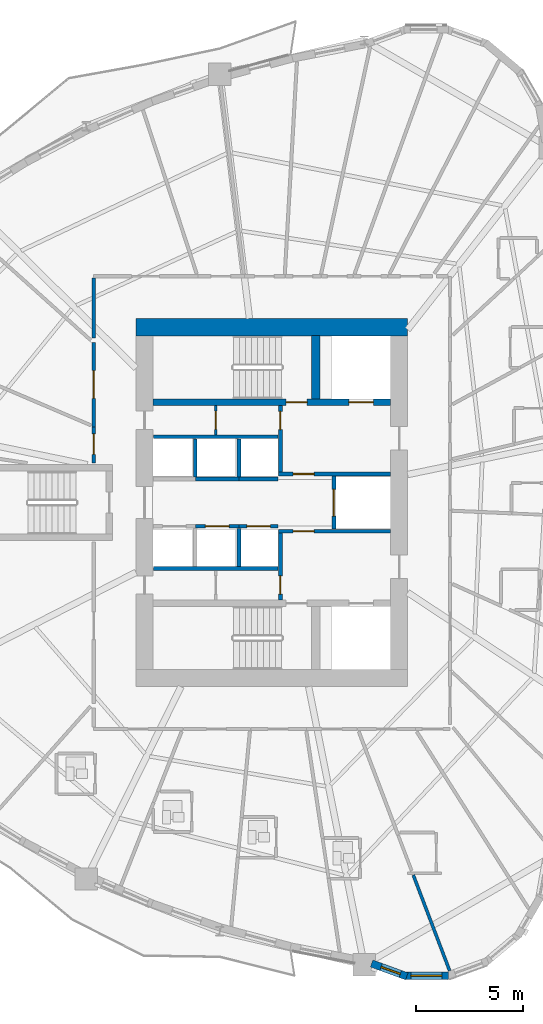
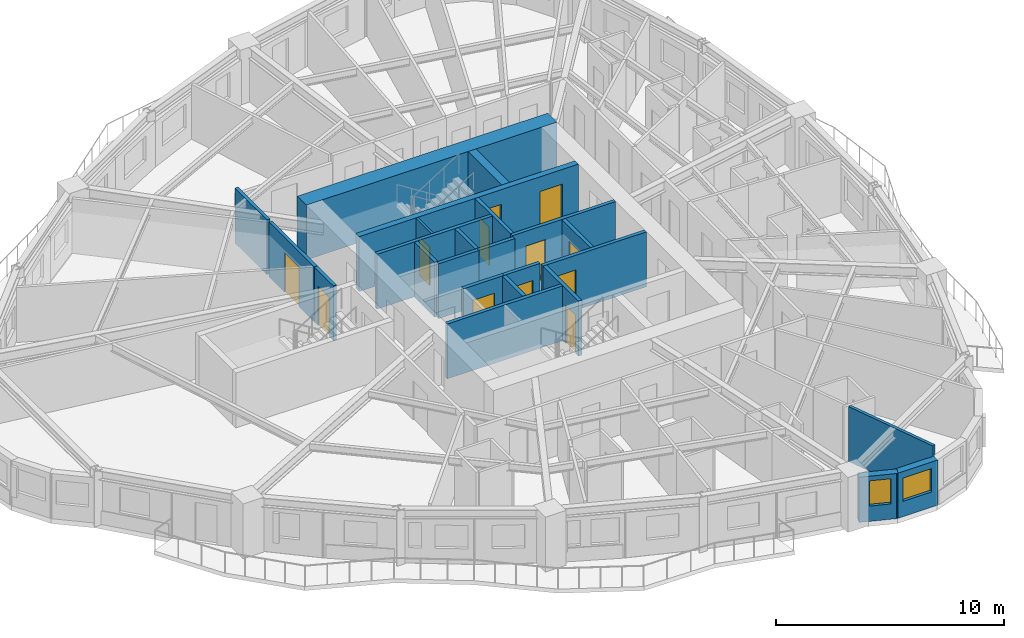
# One storey, part 5 of 14: 24 walls, 12 doors, 2 windows, 14 openings.
"""IFC4 building model written with IfcOpenShell, lengths in metres."""

from ifc_helpers import new_model, si_unit, direction, frame, frame_2d, origin, place, context, subcontext, project, spatial, rectangle, extrude, source, transform, mapped, material, layer, layer_set, type_object, element, fill, save


model = new_model("IFC4")

# Units and contexts
model_context = context("Model", 3, precision=1e-05, world=origin(), true_north=direction((0.0, 1.0)))
body_context = subcontext(model_context, "Body", "Model", "MODEL_VIEW")
ifc_project = project(units=[si_unit("LENGTHUNIT", "METRE"), si_unit("AREAUNIT", "SQUARE_METRE"), si_unit("VOLUMEUNIT", "CUBIC_METRE"), si_unit("PLANEANGLEUNIT", "RADIAN"), si_unit("MASSUNIT", "GRAM", prefix="KILO")], contexts=[model_context])

# Site, building, storey
site_placement = place(None, origin())
site = spatial("IfcSite", under=ifc_project, at=site_placement, CompositionType="ELEMENT")
building_placement = place(site_placement, origin())
building = spatial("IfcBuilding", under=site, at=building_placement, Name="Qafzar Sky-Pleat Residences", CompositionType="ELEMENT")
storey_placement = place(building_placement, frame((0.0, 0.0, 17.39990234375)))
storey = spatial("IfcBuildingStorey", under=building, at=storey_placement, Name="L04", CompositionType="ELEMENT", Elevation=17.39990234375)

# Wall, opening, door
ifc_material_1 = material(Name="Acoustic gypsum plasterboard partition", Category="gypsum")
ifc_layer_1 = layer(ifc_material_1, 0.159912109375)
ifc_layer_set_1 = layer_set([ifc_layer_1], Name="Acoustic gypsum plasterboard partition")
wall_type_1 = type_object("IfcWallType", Name="PART-COR-160", PredefinedType="PARTITIONING", material=ifc_layer_set_1)
wall_1_placement = place(storey_placement, frame((22.02001953125, 29.544921875, 0.0), z_axis=(0.0, 0.0, 1.0), x_axis=(0.0, 1.0, 0.0)))
wall_1 = element("IfcWall", 1, at=wall_1_placement, inside=storey, type_object=wall_type_1, Name="L04 Partition Wall PART-L04-PW-005", PredefinedType="PARTITIONING", context=body_context, shape_type="SweptSolid", body=[
    extrude(rectangle(XDim=3.948974609375, YDim=0.159912109375, at=frame_2d((1.974609375, 0.0))), origin(), (0.0, 0.0, 1.0), 2.940185546875),
])
opening_1_placement = place(wall_1_placement, frame((1.322998046875, 0.0, 0.0)))
opening_1 = element("IfcOpeningElement", 2, at=opening_1_placement, cuts=wall_1, Name="Opening ID-05", PredefinedType="OPENING", context=body_context, shape_type="SweptSolid", body=[
    extrude(rectangle(XDim=1.300048828125, YDim=2.10009765625, at=frame_2d((0.64990234375, 1.050048828125))), frame((0.0, 0.08984375, 0.0), z_axis=(0.0, -1.0, 0.0), x_axis=(1.0, 0.0, 0.0)), (0.0, 0.0, 1.0), 0.179931640625),
])
ifc_material_2 = material(Name="Timber-faced fire door", Category="wood")
door_type_1 = type_object("IfcDoorType", Name="DR-LNG-1300", OperationType="DOUBLE_DOOR_SINGLE_SWING", PredefinedType="DOOR", material=ifc_material_2)
shared_shape_1 = source(origin(), body_context, "Body", "SweptSolid", [
    extrude(rectangle(XDim=1.300048828125, YDim=2.10009765625, at=frame_2d((0.64990234375, 1.050048828125))), frame((0.0, 0.02490234375, 0.0), z_axis=(0.0, -1.0, 0.0), x_axis=(1.0, 0.0, 0.0)), (0.0, 0.0, 1.0), 0.050048828125),
])
door_1_placement = place(opening_1_placement, origin())
door_1 = element("IfcDoor", 3, at=door_1_placement, inside=storey, type_object=door_type_1, Name="L04 Co-Living Lounge Door", OperationType="DOUBLE_DOOR_SINGLE_SWING", OverallHeight=2.10009765625, OverallWidth=1.300048828125, PredefinedType="DOOR", context=body_context, shape_type="MappedRepresentation", body=[
    mapped(shared_shape_1, transform((0.0, 0.0, 0.0), x_axis=(1.0, 0.0, 0.0), y_axis=(0.0, 1.0, 0.0), z_axis=(0.0, 0.0, 1.0), scale=1.0)),
])
fill(opening_1, door_1)

wall_2_placement = place(storey_placement, frame((22.02001953125, 27.85009765625, 0.0), z_axis=(0.0, 0.0, 1.0), x_axis=(0.0, 1.0, 0.0)))
wall_2 = element("IfcWall", 4, at=wall_2_placement, inside=storey, type_object=wall_type_1, Name="L04 Partition Wall PART-L04-PW-029", PredefinedType="PARTITIONING", context=body_context, shape_type="SweptSolid", body=[
    extrude(rectangle(XDim=1.679931640625, YDim=0.159912109375, at=frame_2d((0.83984375, 0.0))), origin(), (0.0, 0.0, 1.0), 2.940185546875),
])
opening_2_placement = place(wall_2_placement, frame((0.405517578125, 0.0, 0.0)))
opening_2 = element("IfcOpeningElement", 5, at=opening_2_placement, cuts=wall_2, Name="Opening ID-06", PredefinedType="OPENING", context=body_context, shape_type="SweptSolid", body=[
    extrude(rectangle(XDim=0.9599609375, YDim=2.10009765625, at=frame_2d((0.47998046875, 1.050048828125))), frame((0.0, 0.08984375, 0.0), z_axis=(0.0, -1.0, 0.0), x_axis=(1.0, 0.0, 0.0)), (0.0, 0.0, 1.0), 0.179931640625),
])
door_type_2 = type_object("IfcDoorType", Name="DR-STD-960", OperationType="NOTDEFINED", PredefinedType="DOOR", material=ifc_material_2)
shared_shape_2 = source(origin(), body_context, "Body", "SweptSolid", [
    extrude(rectangle(XDim=0.9599609375, YDim=2.10009765625, at=frame_2d((0.47998046875, 1.050048828125))), frame((0.0, 0.02490234375, 0.0), z_axis=(0.0, -1.0, 0.0), x_axis=(1.0, 0.0, 0.0)), (0.0, 0.0, 1.0), 0.050048828125),
])
door_2_placement = place(opening_2_placement, origin())
door_2 = element("IfcDoor", 6, at=door_2_placement, inside=storey, type_object=door_type_2, Name="L04 Reading Library Door", OperationType="SINGLE_SWING_RIGHT", OverallHeight=2.10009765625, OverallWidth=0.9599609375, PredefinedType="DOOR", context=body_context, shape_type="MappedRepresentation", body=[
    mapped(shared_shape_2, transform((0.0, 0.0, 0.0), x_axis=(1.0, 0.0, 0.0), y_axis=(0.0, 1.0, 0.0), z_axis=(0.0, 0.0, 1.0), scale=1.0)),
])
fill(opening_2, door_2)

# Wall
wall_3_placement = place(storey_placement, frame((22.02001953125, 33.686279296875, 0.0), z_axis=(0.0, 0.0, 1.0), x_axis=(0.0, 1.0, 0.0)))
element("IfcWall", 7, at=wall_3_placement, inside=storey, type_object=wall_type_1, Name="L04 Partition Wall PART-L04-PW-060", PredefinedType="PARTITIONING", context=body_context, shape_type="SweptSolid", body=[
    extrude(rectangle(XDim=2.8056640625, YDim=0.159912109375, at=frame_2d((1.40283203125, 0.0))), origin(), (0.0, 0.0, 1.0), 2.940185546875),
])

# Wall, opening, door
ifc_material_3 = material(Name="Concrete blockwork partition", Category="masonry")
ifc_layer_2 = layer(ifc_material_3, 0.179931640625)
ifc_layer_set_2 = layer_set([ifc_layer_2], Name="Concrete blockwork partition")
wall_type_2 = type_object("IfcWallType", Name="PART-SHAFT-180", PredefinedType="PARTITIONING", material=ifc_layer_set_2)
wall_4_placement = place(storey_placement, frame((30.75, 21.4599609375, 0.0), z_axis=(0.0, 0.0, 1.0), x_axis=(0.0, 1.0, 0.0)))
wall_4 = element("IfcWall", 8, at=wall_4_placement, inside=storey, type_object=wall_type_2, Name="L04 Partition Wall PART-L04-FFL1-W", PredefinedType="PARTITIONING", context=body_context, shape_type="SweptSolid", body=[
    extrude(rectangle(XDim=3.110107421875, YDim=0.179931640625, at=frame_2d((1.55517578125, 0.0))), origin(), (0.0, 0.0, 1.0), 2.940185546875),
])
opening_3_placement = place(wall_4_placement, frame((0.260009765625, 0.0, 0.0)))
opening_3 = element("IfcOpeningElement", 9, at=opening_3_placement, cuts=wall_4, Name="Opening ID-09", PredefinedType="OPENING", context=body_context, shape_type="SweptSolid", body=[
    extrude(rectangle(XDim=0.860107421875, YDim=2.050048828125, at=frame_2d((0.43017578125, 1.02490234375))), frame((0.0, 0.10009765625, 0.0), z_axis=(0.0, -1.0, 0.0), x_axis=(1.0, 0.0, 0.0)), (0.0, 0.0, 1.0), 0.199951171875),
])
door_type_3 = type_object("IfcDoorType", Name="DR-SVC-860", OperationType="NOTDEFINED", PredefinedType="DOOR", material=ifc_material_2)
shared_shape_3 = source(origin(), body_context, "Body", "SweptSolid", [
    extrude(rectangle(XDim=0.860107421875, YDim=2.050048828125, at=frame_2d((0.43017578125, 1.02490234375))), frame((0.0, 0.02490234375, 0.0), z_axis=(0.0, -1.0, 0.0), x_axis=(1.0, 0.0, 0.0)), (0.0, 0.0, 1.0), 0.050048828125),
])
door_3_placement = place(opening_3_placement, origin())
door_3 = element("IfcDoor", 10, at=door_3_placement, inside=storey, type_object=door_type_3, Name="L04 South Core Cupboard Door", OperationType="SINGLE_SWING_RIGHT", OverallHeight=2.050048828125, OverallWidth=0.860107421875, PredefinedType="DOOR", context=body_context, shape_type="MappedRepresentation", body=[
    mapped(shared_shape_3, transform((0.0, 0.0, 0.0), x_axis=(1.0, 0.0, 0.0), y_axis=(0.0, 1.0, 0.0), z_axis=(0.0, 0.0, 1.0), scale=1.0)),
])
fill(opening_3, door_3)

wall_5_placement = place(storey_placement, frame((30.669921875, 24.659912109375, 0.0), z_axis=(0.0, 0.0, 1.0), x_axis=(1.0, 0.0, 0.0)))
wall_5 = element("IfcWall", 11, at=wall_5_placement, inside=storey, type_object=wall_type_2, Name="L04 Partition Wall PART-L04-FFL1-N", PredefinedType="PARTITIONING", context=body_context, shape_type="SweptSolid", body=[
    extrude(rectangle(XDim=5.219970703125, YDim=0.179931640625, at=frame_2d((2.60986328125, 0.0))), origin(), (0.0, 0.0, 1.0), 2.940185546875),
])
opening_4_placement = place(wall_5_placement, frame((0.679931640625, 0.0, 0.0)))
opening_4 = element("IfcOpeningElement", 12, at=opening_4_placement, cuts=wall_5, Name="Opening ID-01", PredefinedType="OPENING", context=body_context, shape_type="SweptSolid", body=[
    extrude(rectangle(XDim=0.97998046875, YDim=2.14990234375, at=frame_2d((0.489990234375, 1.074951171875))), frame((0.0, 0.10009765625, 0.0), z_axis=(0.0, -1.0, 0.0), x_axis=(1.0, 0.0, 0.0)), (0.0, 0.0, 1.0), 0.199951171875),
])
door_type_4 = type_object("IfcDoorType", Name="DR-STAIR-980", OperationType="NOTDEFINED", PredefinedType="DOOR", material=ifc_material_2)
shared_shape_4 = source(origin(), body_context, "Body", "SweptSolid", [
    extrude(rectangle(XDim=0.97998046875, YDim=2.14990234375, at=frame_2d((0.489990234375, 1.074951171875))), frame((0.0, 0.02490234375, 0.0), z_axis=(0.0, -1.0, 0.0), x_axis=(1.0, 0.0, 0.0)), (0.0, 0.0, 1.0), 0.050048828125),
])
door_4_placement = place(opening_4_placement, origin())
door_4 = element("IfcDoor", 13, at=door_4_placement, inside=storey, type_object=door_type_4, Name="L04 Lift Lobby to South Firefighting Lobby Door", OperationType="SINGLE_SWING_LEFT", OverallHeight=2.14990234375, OverallWidth=0.97998046875, PredefinedType="DOOR", context=body_context, shape_type="MappedRepresentation", body=[
    mapped(shared_shape_4, transform((0.0, 0.0, 0.0), x_axis=(1.0, 0.0, 0.0), y_axis=(0.0, 1.0, 0.0), z_axis=(0.0, 0.0, 1.0), scale=1.0)),
])
fill(opening_4, door_4)

wall_6_placement = place(storey_placement, frame((30.75, 27.429931640625, 0.0), z_axis=(0.0, 0.0, 1.0), x_axis=(0.0, 1.0, 0.0)))
wall_6 = element("IfcWall", 14, at=wall_6_placement, inside=storey, type_object=wall_type_2, Name="L04 Partition Wall PART-L04-FFL2-W", PredefinedType="PARTITIONING", context=body_context, shape_type="SweptSolid", body=[
    extrude(rectangle(XDim=3.110107421875, YDim=0.179931640625, at=frame_2d((1.55517578125, 0.0))), origin(), (0.0, 0.0, 1.0), 2.940185546875),
])
opening_5_placement = place(wall_6_placement, frame((1.97998046875, 0.0, 0.0)))
opening_5 = element("IfcOpeningElement", 15, at=opening_5_placement, cuts=wall_6, Name="Opening ID-09", PredefinedType="OPENING", context=body_context, shape_type="SweptSolid", body=[
    extrude(rectangle(XDim=0.860107421875, YDim=2.050048828125, at=frame_2d((0.43017578125, 1.02490234375))), frame((0.0, 0.10009765625, 0.0), z_axis=(0.0, -1.0, 0.0), x_axis=(1.0, 0.0, 0.0)), (0.0, 0.0, 1.0), 0.199951171875),
])
door_5_placement = place(opening_5_placement, origin())
door_5 = element("IfcDoor", 16, at=door_5_placement, inside=storey, type_object=door_type_3, Name="L04 North Core Cupboard Door", OperationType="SINGLE_SWING_RIGHT", OverallHeight=2.050048828125, OverallWidth=0.860107421875, PredefinedType="DOOR", context=body_context, shape_type="MappedRepresentation", body=[
    mapped(shared_shape_3, transform((0.0, 0.0, 0.0), x_axis=(1.0, 0.0, 0.0), y_axis=(0.0, 1.0, 0.0), z_axis=(0.0, 0.0, 1.0), scale=1.0)),
])
fill(opening_5, door_5)

wall_7_placement = place(storey_placement, frame((30.669921875, 27.340087890625, 0.0), z_axis=(0.0, 0.0, 1.0), x_axis=(1.0, 0.0, 0.0)))
wall_7 = element("IfcWall", 17, at=wall_7_placement, inside=storey, type_object=wall_type_2, Name="L04 Partition Wall PART-L04-FFL2-S", PredefinedType="PARTITIONING", context=body_context, shape_type="SweptSolid", body=[
    extrude(rectangle(XDim=5.219970703125, YDim=0.179931640625, at=frame_2d((2.60986328125, 0.0))), origin(), (0.0, 0.0, 1.0), 2.940185546875),
])
opening_6_placement = place(wall_7_placement, frame((0.679931640625, 0.0, 0.0)))
opening_6 = element("IfcOpeningElement", 18, at=opening_6_placement, cuts=wall_7, Name="Opening ID-01", PredefinedType="OPENING", context=body_context, shape_type="SweptSolid", body=[
    extrude(rectangle(XDim=0.97998046875, YDim=2.14990234375, at=frame_2d((0.489990234375, 1.074951171875))), frame((0.0, 0.10009765625, 0.0), z_axis=(0.0, -1.0, 0.0), x_axis=(1.0, 0.0, 0.0)), (0.0, 0.0, 1.0), 0.199951171875),
])
door_6_placement = place(opening_6_placement, origin())
door_6 = element("IfcDoor", 19, at=door_6_placement, inside=storey, type_object=door_type_4, Name="L04 Lift Lobby to North Firefighting Lobby Door", OperationType="SINGLE_SWING_LEFT", OverallHeight=2.14990234375, OverallWidth=0.97998046875, PredefinedType="DOOR", context=body_context, shape_type="MappedRepresentation", body=[
    mapped(shared_shape_4, transform((0.0, 0.0, 0.0), x_axis=(1.0, 0.0, 0.0), y_axis=(0.0, 1.0, 0.0), z_axis=(0.0, 0.0, 1.0), scale=1.0)),
])
fill(opening_6, door_6)

wall_8_placement = place(storey_placement, frame((33.25, 24.760009765625, 0.0), z_axis=(0.0, 0.0, 1.0), x_axis=(0.0, 1.0, 0.0)))
wall_8 = element("IfcWall", 20, at=wall_8_placement, inside=storey, type_object=wall_type_2, Name="L04 Partition Wall PART-L04-SV1-W", PredefinedType="PARTITIONING", context=body_context, shape_type="SweptSolid", body=[
    extrude(rectangle(XDim=2.47998046875, YDim=0.179931640625, at=frame_2d((1.239990234375, 0.0))), origin(), (0.0, 0.0, 1.0), 2.940185546875),
])
opening_7_placement = place(wall_8_placement, frame((0.614990234375, 0.0, 0.0)))
opening_7 = element("IfcOpeningElement", 21, at=opening_7_placement, cuts=wall_8, Name="Opening LD-03", PredefinedType="OPENING", context=body_context, shape_type="SweptSolid", body=[
    extrude(rectangle(XDim=1.25, YDim=2.14990234375, at=frame_2d((0.625, 1.074951171875))), frame((0.0, 0.10009765625, 0.0), z_axis=(0.0, -1.0, 0.0), x_axis=(1.0, 0.0, 0.0)), (0.0, 0.0, 1.0), 0.199951171875),
])
ifc_material_4 = material(Name="Stainless steel sliding landing door", Category="steel")
door_type_5 = type_object("IfcDoorType", Name="DR-LIFT-SV", OperationType="DOUBLE_DOOR_SLIDING", PredefinedType="DOOR", material=ifc_material_4)
shared_shape_5 = source(origin(), body_context, "Body", "SweptSolid", [
    extrude(rectangle(XDim=1.25, YDim=2.14990234375, at=frame_2d((0.625, 1.074951171875))), frame((0.0, 0.02490234375, 0.0), z_axis=(0.0, -1.0, 0.0), x_axis=(1.0, 0.0, 0.0)), (0.0, 0.0, 1.0), 0.050048828125),
])
door_7_placement = place(opening_7_placement, origin())
door_7 = element("IfcDoor", 22, at=door_7_placement, inside=storey, type_object=door_type_5, Name="L04 Service Lift SV1 Landing Door", OperationType="DOUBLE_DOOR_SLIDING", OverallHeight=2.14990234375, OverallWidth=1.25, PredefinedType="DOOR", context=body_context, shape_type="MappedRepresentation", body=[
    mapped(shared_shape_5, transform((0.0, 0.0, 0.0), x_axis=(1.0, 0.0, 0.0), y_axis=(0.0, 1.0, 0.0), z_axis=(0.0, 0.0, 1.0), scale=1.0)),
])
fill(opening_7, door_7)

# Wall
wall_9_placement = place(storey_placement, frame((24.81005859375, 22.919921875, 0.0), z_axis=(0.0, 0.0, 1.0), x_axis=(1.0, 0.0, 0.0)))
element("IfcWall", 23, at=wall_9_placement, inside=storey, type_object=wall_type_2, Name="L04 Partition Wall PART-L04-P13-S", PredefinedType="PARTITIONING", context=body_context, shape_type="SweptSolid", body=[
    extrude(rectangle(XDim=5.83984375, YDim=0.179931640625, at=frame_2d((2.919921875, 0.0))), origin(), (0.0, 0.0, 1.0), 2.940185546875),
])

# Wall, opening, door
wall_10_placement = place(storey_placement, frame((26.77490234375, 24.89990234375, 0.0), z_axis=(0.0, 0.0, 1.0), x_axis=(1.0, 0.0, 0.0)))
wall_10 = element("IfcWall", 24, at=wall_10_placement, inside=storey, type_object=wall_type_2, Name="L04 Partition Wall PART-L04-P2-N", PredefinedType="PARTITIONING", context=body_context, shape_type="SweptSolid", body=[
    extrude(rectangle(XDim=2.050048828125, YDim=0.179931640625, at=frame_2d((1.02490234375, 0.0))), origin(), (0.0, 0.0, 1.0), 2.940185546875),
])
opening_8_placement = place(wall_10_placement, frame((0.47509765625, 0.0, 0.0)))
opening_8 = element("IfcOpeningElement", 25, at=opening_8_placement, cuts=wall_10, Name="Opening LD-01", PredefinedType="OPENING", context=body_context, shape_type="SweptSolid", body=[
    extrude(rectangle(XDim=1.10009765625, YDim=2.14990234375, at=frame_2d((0.550048828125, 1.074951171875))), frame((0.0, 0.10009765625, 0.0), z_axis=(0.0, -1.0, 0.0), x_axis=(1.0, 0.0, 0.0)), (0.0, 0.0, 1.0), 0.199951171875),
])
door_type_6 = type_object("IfcDoorType", Name="DR-LIFT-P", OperationType="DOUBLE_DOOR_SLIDING", PredefinedType="DOOR", material=ifc_material_4)
shared_shape_6 = source(origin(), body_context, "Body", "SweptSolid", [
    extrude(rectangle(XDim=1.10009765625, YDim=2.14990234375, at=frame_2d((0.550048828125, 1.074951171875))), frame((0.0, 0.02490234375, 0.0), z_axis=(0.0, -1.0, 0.0), x_axis=(1.0, 0.0, 0.0)), (0.0, 0.0, 1.0), 0.050048828125),
])
door_8_placement = place(opening_8_placement, origin())
door_8 = element("IfcDoor", 26, at=door_8_placement, inside=storey, type_object=door_type_6, Name="L04 Passenger Lift P2 Landing Door", OperationType="DOUBLE_DOOR_SLIDING", OverallHeight=2.14990234375, OverallWidth=1.10009765625, PredefinedType="DOOR", context=body_context, shape_type="MappedRepresentation", body=[
    mapped(shared_shape_6, transform((0.0, 0.0, 0.0), x_axis=(1.0, 0.0, 0.0), y_axis=(0.0, 1.0, 0.0), z_axis=(0.0, 0.0, 1.0), scale=1.0)),
])
fill(opening_8, door_8)

wall_11_placement = place(storey_placement, frame((28.824951171875, 24.89990234375, 0.0), z_axis=(0.0, 0.0, 1.0), x_axis=(1.0, 0.0, 0.0)))
wall_11 = element("IfcWall", 27, at=wall_11_placement, inside=storey, type_object=wall_type_2, Name="L04 Partition Wall PART-L04-P3-N", PredefinedType="PARTITIONING", context=body_context, shape_type="SweptSolid", body=[
    extrude(rectangle(XDim=1.824951171875, YDim=0.179931640625, at=frame_2d((0.91259765625, 0.0))), origin(), (0.0, 0.0, 1.0), 2.940185546875),
])
opening_9_placement = place(wall_11_placement, frame((0.362548828125, 0.0, 0.0)))
opening_9 = element("IfcOpeningElement", 28, at=opening_9_placement, cuts=wall_11, Name="Opening LD-01", PredefinedType="OPENING", context=body_context, shape_type="SweptSolid", body=[
    extrude(rectangle(XDim=1.10009765625, YDim=2.14990234375, at=frame_2d((0.550048828125, 1.074951171875))), frame((0.0, 0.10009765625, 0.0), z_axis=(0.0, -1.0, 0.0), x_axis=(1.0, 0.0, 0.0)), (0.0, 0.0, 1.0), 0.199951171875),
])
door_9_placement = place(opening_9_placement, origin())
door_9 = element("IfcDoor", 29, at=door_9_placement, inside=storey, type_object=door_type_6, Name="L04 Passenger Lift P3 Landing Door", OperationType="DOUBLE_DOOR_SLIDING", OverallHeight=2.14990234375, OverallWidth=1.10009765625, PredefinedType="DOOR", context=body_context, shape_type="MappedRepresentation", body=[
    mapped(shared_shape_6, transform((0.0, 0.0, 0.0), x_axis=(1.0, 0.0, 0.0), y_axis=(0.0, 1.0, 0.0), z_axis=(0.0, 0.0, 1.0), scale=1.0)),
])
fill(opening_9, door_9)

# Walls
wall_12_placement = place(storey_placement, frame((28.824951171875, 23.02001953125, 0.0), z_axis=(0.0, 0.0, 1.0), x_axis=(0.0, 1.0, 0.0)))
element("IfcWall", 30, at=wall_12_placement, inside=storey, type_object=wall_type_2, Name="L04 Partition Wall PART-L04-P13-DIV-2", PredefinedType="PARTITIONING", context=body_context, shape_type="SweptSolid", body=[
    extrude(rectangle(XDim=1.780029296875, YDim=0.179931640625, at=frame_2d((0.89013671875, 0.0))), origin(), (0.0, 0.0, 1.0), 2.940185546875),
])
wall_13_placement = place(storey_placement, frame((24.81005859375, 29.080078125, 0.0), z_axis=(0.0, 0.0, 1.0), x_axis=(1.0, 0.0, 0.0)))
element("IfcWall", 31, at=wall_13_placement, inside=storey, type_object=wall_type_2, Name="L04 Partition Wall PART-L04-P46-N", PredefinedType="PARTITIONING", context=body_context, shape_type="SweptSolid", body=[
    extrude(rectangle(XDim=5.83984375, YDim=0.179931640625, at=frame_2d((2.919921875, 0.0))), origin(), (0.0, 0.0, 1.0), 2.940185546875),
])
wall_14_placement = place(storey_placement, frame((26.77490234375, 27.10009765625, 0.0), z_axis=(0.0, 0.0, 1.0), x_axis=(1.0, 0.0, 0.0)))
element("IfcWall", 32, at=wall_14_placement, inside=storey, type_object=wall_type_2, Name="L04 Partition Wall PART-L04-P5-S", PredefinedType="PARTITIONING", context=body_context, shape_type="SweptSolid", body=[
    extrude(rectangle(XDim=2.050048828125, YDim=0.179931640625, at=frame_2d((1.02490234375, 0.0))), origin(), (0.0, 0.0, 1.0), 2.940185546875),
])
wall_15_placement = place(storey_placement, frame((26.77490234375, 27.199951171875, 0.0), z_axis=(0.0, 0.0, 1.0), x_axis=(0.0, 1.0, 0.0)))
element("IfcWall", 33, at=wall_15_placement, inside=storey, type_object=wall_type_2, Name="L04 Partition Wall PART-L04-P46-DIV-1", PredefinedType="PARTITIONING", context=body_context, shape_type="SweptSolid", body=[
    extrude(rectangle(XDim=1.780029296875, YDim=0.179931640625, at=frame_2d((0.89013671875, 0.0))), origin(), (0.0, 0.0, 1.0), 2.940185546875),
])
wall_16_placement = place(storey_placement, frame((28.824951171875, 27.10009765625, 0.0), z_axis=(0.0, 0.0, 1.0), x_axis=(1.0, 0.0, 0.0)))
element("IfcWall", 34, at=wall_16_placement, inside=storey, type_object=wall_type_2, Name="L04 Partition Wall PART-L04-P6-S", PredefinedType="PARTITIONING", context=body_context, shape_type="SweptSolid", body=[
    extrude(rectangle(XDim=1.824951171875, YDim=0.179931640625, at=frame_2d((0.91259765625, 0.0))), origin(), (0.0, 0.0, 1.0), 2.940185546875),
])
wall_17_placement = place(storey_placement, frame((28.824951171875, 27.199951171875, 0.0), z_axis=(0.0, 0.0, 1.0), x_axis=(0.0, 1.0, 0.0)))
element("IfcWall", 35, at=wall_17_placement, inside=storey, type_object=wall_type_2, Name="L04 Partition Wall PART-L04-P46-DIV-2", PredefinedType="PARTITIONING", context=body_context, shape_type="SweptSolid", body=[
    extrude(rectangle(XDim=1.780029296875, YDim=0.179931640625, at=frame_2d((0.89013671875, 0.0))), origin(), (0.0, 0.0, 1.0), 2.940185546875),
])

# Wall, opening, door
ifc_material_5 = material(Name="Gypsum plasterboard partition", Category="gypsum")
ifc_layer_3 = layer(ifc_material_5, 0.114990234375)
ifc_layer_set_3 = layer_set([ifc_layer_3], Name="Gypsum plasterboard partition")
wall_type_3 = type_object("IfcWallType", Name="PART-SVC-115", PredefinedType="PARTITIONING", material=ifc_layer_set_3)
wall_18_placement = place(storey_placement, frame((27.72509765625, 29.159912109375, 0.0), z_axis=(0.0, 0.0, 1.0), x_axis=(0.0, 1.0, 0.0)))
wall_18 = element("IfcWall", 36, at=wall_18_placement, inside=storey, type_object=wall_type_3, Name="L04 Partition Wall PART-L04-KB-NW", PredefinedType="PARTITIONING", context=body_context, shape_type="SweptSolid", body=[
    extrude(rectangle(XDim=1.380126953125, YDim=0.114990234375, at=frame_2d((0.68994140625, 0.0))), origin(), (0.0, 0.0, 1.0), 2.940185546875),
])
opening_10_placement = place(wall_18_placement, frame((0.260009765625, 0.0, 0.0)))
opening_10 = element("IfcOpeningElement", 37, at=opening_10_placement, cuts=wall_18, Name="Opening ID-09", PredefinedType="OPENING", context=body_context, shape_type="SweptSolid", body=[
    extrude(rectangle(XDim=0.860107421875, YDim=2.050048828125, at=frame_2d((0.43017578125, 1.02490234375))), frame((0.0, 0.0673828125, 0.0), z_axis=(0.0, -1.0, 0.0), x_axis=(1.0, 0.0, 0.0)), (0.0, 0.0, 1.0), 0.135009765625),
])
door_10_placement = place(opening_10_placement, origin())
door_10 = element("IfcDoor", 38, at=door_10_placement, inside=storey, type_object=door_type_3, Name="L04 IT Cupboard Door", OperationType="SINGLE_SWING_LEFT", OverallHeight=2.050048828125, OverallWidth=0.860107421875, PredefinedType="DOOR", context=body_context, shape_type="MappedRepresentation", body=[
    mapped(shared_shape_3, transform((0.0, 0.0, 0.0), x_axis=(1.0, 0.0, 0.0), y_axis=(0.0, 1.0, 0.0), z_axis=(0.0, 0.0, 1.0), scale=1.0)),
])
fill(opening_10, door_10)

# Wall
ifc_layer_4 = layer(ifc_material_1, 0.14501953125)
ifc_layer_set_4 = layer_set([ifc_layer_4], Name="Acoustic gypsum plasterboard partition")
wall_type_4 = type_object("IfcWallType", Name="PART-UNIT-145", PredefinedType="PARTITIONING", material=ifc_layer_set_4)
wall_19_placement = place(storey_placement, frame((36.96337890625, 8.59375, 0.0), z_axis=(0.0, 0.0, 1.0), x_axis=(0.35524629266, -0.934772737916, 0.0)))
element("IfcWall", 39, at=wall_19_placement, inside=storey, type_object=wall_type_4, Name="L04 Partition Wall PART-L04-PW-050", PredefinedType="PARTITIONING", context=body_context, shape_type="SweptSolid", body=[
    extrude(rectangle(XDim=4.78515625, YDim=0.14501953125, at=frame_2d((2.392578125, 0.0))), origin(), (0.0, 0.0, 1.0), 2.940185546875),
])

# Wall, opening, window
ifc_material_6 = material(Name="Precast concrete C40/50 with honed Riyadh limestone", Category="concrete")
ifc_layer_5 = layer(ifc_material_6, 0.35009765625)
ifc_layer_set_5 = layer_set([ifc_layer_5], Name="Precast concrete C40/50 with honed Riyadh limestone")
wall_type_5 = type_object("IfcWallType", Name="WALL-EXT-350", PredefinedType="SOLIDWALL", material=ifc_layer_set_5)
wall_20_placement = place(storey_placement, frame((35.014404296875, 4.458740234375, 0.0), z_axis=(0.0, 0.0, 1.0), x_axis=(0.939720171257, -0.341944439541, 0.0)))
wall_20 = element("IfcWall", 40, at=wall_20_placement, inside=storey, type_object=wall_type_5, Name="L04 Limestone Facade Wall 17", PredefinedType="SOLIDWALL", context=body_context, shape_type="SweptSolid", body=[
    extrude(rectangle(XDim=1.752197265625, YDim=0.35009765625, at=frame_2d((0.8759765625, 0.0))), origin(), (0.0, 0.0, 1.0), 2.420166015625),
])
opening_11_placement = place(wall_20_placement, frame((0.47607421875, 0.0, 0.820068359375)))
opening_11 = element("IfcOpeningElement", 41, at=opening_11_placement, cuts=wall_20, Name="Opening WN-12", PredefinedType="OPENING", context=body_context, shape_type="SweptSolid", body=[
    extrude(rectangle(XDim=0.949951171875, YDim=1.35009765625, at=frame_2d((0.47509765625, 0.675048828125))), frame((0.0, 0.18505859375, 0.0), z_axis=(0.0, -1.0, 0.0), x_axis=(1.0, 0.0, 0.0)), (0.0, 0.0, 1.0), 0.3701171875),
])
ifc_material_7 = material(Name="Solar-control low-E glass in bronze aluminium frame", Category="glass")
window_type_1 = type_object("IfcWindowType", Name="WIN-12", PartitioningType="SINGLE_PANEL", PredefinedType="WINDOW", material=ifc_material_7)
shared_shape_7 = source(origin(), body_context, "Body", "SweptSolid", [
    extrude(rectangle(XDim=0.949951171875, YDim=1.35009765625, at=frame_2d((0.47509765625, 0.675048828125))), frame((0.0, 0.030029296875, 0.0), z_axis=(0.0, -1.0, 0.0), x_axis=(1.0, 0.0, 0.0)), (0.0, 0.0, 1.0), 0.06005859375),
])
window_1_placement = place(opening_11_placement, origin())
window_1 = element("IfcWindow", 42, at=window_1_placement, inside=storey, type_object=window_type_1, Name="L04 Punched Facade Window 17", OverallHeight=1.35009765625, OverallWidth=0.949951171875, PartitioningType="SINGLE_PANEL", PredefinedType="WINDOW", context=body_context, shape_type="MappedRepresentation", body=[
    mapped(shared_shape_7, transform((0.0, 0.0, 0.0), x_axis=(1.0, 0.0, 0.0), y_axis=(0.0, 1.0, 0.0), z_axis=(0.0, 0.0, 1.0), scale=1.0)),
])
fill(opening_11, window_1)

wall_21_placement = place(storey_placement, frame((36.52734375, 3.883056640625, 0.0), z_axis=(0.0, 0.0, 1.0), x_axis=(1.0, 0.0, 0.0)))
wall_21 = element("IfcWall", 43, at=wall_21_placement, inside=storey, type_object=wall_type_5, Name="L04 Limestone Facade Wall 18", PredefinedType="SOLIDWALL", context=body_context, shape_type="SweptSolid", body=[
    extrude(rectangle(XDim=2.09033203125, YDim=0.35009765625, at=frame_2d((1.045166015625, 0.0))), origin(), (0.0, 0.0, 1.0), 2.420166015625),
])
opening_12_placement = place(wall_21_placement, frame((0.3203125, 0.0, 0.820068359375)))
opening_12 = element("IfcOpeningElement", 44, at=opening_12_placement, cuts=wall_21, Name="Opening WN-15", PredefinedType="OPENING", context=body_context, shape_type="SweptSolid", body=[
    extrude(rectangle(XDim=1.449951171875, YDim=1.25, at=frame_2d((0.72509765625, 0.625))), frame((0.0, 0.18505859375, 0.0), z_axis=(0.0, -1.0, 0.0), x_axis=(1.0, 0.0, 0.0)), (0.0, 0.0, 1.0), 0.3701171875),
])
window_type_2 = type_object("IfcWindowType", Name="WIN-15", PartitioningType="SINGLE_PANEL", PredefinedType="WINDOW", material=ifc_material_7)
shared_shape_8 = source(origin(), body_context, "Body", "SweptSolid", [
    extrude(rectangle(XDim=1.449951171875, YDim=1.25, at=frame_2d((0.72509765625, 0.625))), frame((0.0, 0.030029296875, 0.0), z_axis=(0.0, -1.0, 0.0), x_axis=(1.0, 0.0, 0.0)), (0.0, 0.0, 1.0), 0.06005859375),
])
window_2_placement = place(opening_12_placement, origin())
window_2 = element("IfcWindow", 45, at=window_2_placement, inside=storey, type_object=window_type_2, Name="L04 Punched Facade Window 18", OverallHeight=1.25, OverallWidth=1.449951171875, PartitioningType="SINGLE_PANEL", PredefinedType="WINDOW", context=body_context, shape_type="MappedRepresentation", body=[
    mapped(shared_shape_8, transform((0.0, 0.0, 0.0), x_axis=(1.0, 0.0, 0.0), y_axis=(0.0, 1.0, 0.0), z_axis=(0.0, 0.0, 1.0), scale=1.0)),
])
fill(opening_12, window_2)

# Wall, openings, doors
ifc_material_8 = material(Name="Concrete C60/75", Category="concrete")
ifc_layer_6 = layer(ifc_material_8, 0.300048828125)
ifc_layer_set_6 = layer_set([ifc_layer_6], Name="Concrete C60/75")
wall_type_6 = type_object("IfcWallType", Name="WALL-SHEAR-300", PredefinedType="SHEAR", material=ifc_layer_set_6)
wall_22_placement = place(storey_placement, frame((24.800048828125, 30.699951171875, 0.0), z_axis=(0.0, 0.0, 1.0), x_axis=(1.0, 0.0, 0.0)))
wall_22 = element("IfcWall", 46, at=wall_22_placement, inside=storey, type_object=wall_type_6, Name="L04 Stair ST2 and FF2 Shaft South Wall", PredefinedType="SHEAR", context=body_context, shape_type="SweptSolid", body=[
    extrude(rectangle(XDim=11.099853515625, YDim=0.300048828125, at=frame_2d((5.5498046875, 0.0))), origin(), (0.0, 0.0, 1.0), 2.940185546875),
])
opening_13_placement = place(wall_22_placement, frame((6.219970703125, 0.0, 0.0)))
opening_13 = element("IfcOpeningElement", 47, at=opening_13_placement, cuts=wall_22, Name="Opening ID-01", PredefinedType="OPENING", context=body_context, shape_type="SweptSolid", body=[
    extrude(rectangle(XDim=0.97998046875, YDim=2.14990234375, at=frame_2d((0.489990234375, 1.074951171875))), frame((0.0, 0.16015625, 0.0), z_axis=(0.0, -1.0, 0.0), x_axis=(1.0, 0.0, 0.0)), (0.0, 0.0, 1.0), 0.320068359375),
])
opening_14_placement = place(wall_22_placement, frame((9.14990234375, 0.0, 0.0)))
opening_14 = element("IfcOpeningElement", 48, at=opening_14_placement, cuts=wall_22, Name="Opening LD-02", PredefinedType="OPENING", context=body_context, shape_type="SweptSolid", body=[
    extrude(rectangle(XDim=1.14990234375, YDim=2.14990234375, at=frame_2d((0.574951171875, 1.074951171875))), frame((0.0, 0.16015625, 0.0), z_axis=(0.0, -1.0, 0.0), x_axis=(1.0, 0.0, 0.0)), (0.0, 0.0, 1.0), 0.320068359375),
])
door_11_placement = place(opening_13_placement, origin())
door_11 = element("IfcDoor", 49, at=door_11_placement, inside=storey, type_object=door_type_4, Name="L04 Stair ST2 Fire Door", OperationType="SINGLE_SWING_RIGHT", OverallHeight=2.14990234375, OverallWidth=0.97998046875, PredefinedType="DOOR", context=body_context, shape_type="MappedRepresentation", body=[
    mapped(shared_shape_4, transform((0.0, 0.0, 0.0), x_axis=(1.0, 0.0, 0.0), y_axis=(0.0, 1.0, 0.0), z_axis=(0.0, 0.0, 1.0), scale=1.0)),
])
fill(opening_13, door_11)
door_type_7 = type_object("IfcDoorType", Name="DR-LIFT-FF", OperationType="DOUBLE_DOOR_SLIDING", PredefinedType="DOOR", material=ifc_material_4)
shared_shape_9 = source(origin(), body_context, "Body", "SweptSolid", [
    extrude(rectangle(XDim=1.14990234375, YDim=2.14990234375, at=frame_2d((0.574951171875, 1.074951171875))), frame((0.0, 0.02490234375, 0.0), z_axis=(0.0, -1.0, 0.0), x_axis=(1.0, 0.0, 0.0)), (0.0, 0.0, 1.0), 0.050048828125),
])
door_12_placement = place(opening_14_placement, origin())
door_12 = element("IfcDoor", 50, at=door_12_placement, inside=storey, type_object=door_type_7, Name="L04 Firefighting Lift FF2 Landing Door", OperationType="DOUBLE_DOOR_SLIDING", OverallHeight=2.14990234375, OverallWidth=1.14990234375, PredefinedType="DOOR", context=body_context, shape_type="MappedRepresentation", body=[
    mapped(shared_shape_9, transform((0.0, 0.0, 0.0), x_axis=(1.0, 0.0, 0.0), y_axis=(0.0, 1.0, 0.0), z_axis=(0.0, 0.0, 1.0), scale=1.0)),
])
fill(opening_14, door_12)

# Walls
ifc_layer_7 = layer(ifc_material_8, 0.39990234375)
ifc_layer_set_7 = layer_set([ifc_layer_7], Name="Concrete C60/75")
wall_type_7 = type_object("IfcWallType", Name="WALL-SHEAR-400", PredefinedType="SHEAR", material=ifc_layer_set_7)
wall_23_placement = place(storey_placement, frame((32.39990234375, 30.85009765625, 0.0), z_axis=(0.0, 0.0, 1.0), x_axis=(0.0, 1.0, 0.0)))
element("IfcWall", 51, at=wall_23_placement, inside=storey, type_object=wall_type_7, Name="L04 Stair ST2 East Dividing Wall", PredefinedType="SHEAR", context=body_context, shape_type="SweptSolid", body=[
    extrude(rectangle(XDim=2.949951171875, YDim=0.39990234375, at=frame_2d((1.47509765625, 0.0))), origin(), (0.0, 0.0, 1.0), 2.940185546875),
])
ifc_layer_8 = layer(ifc_material_8, 0.800048828125)
ifc_layer_set_8 = layer_set([ifc_layer_8], Name="Concrete C60/75")
wall_type_8 = type_object("IfcWallType", Name="WALL-SHEAR-800", PredefinedType="SHEAR", material=ifc_layer_set_8)
wall_24_placement = place(storey_placement, frame((36.699951171875, 34.199951171875, 0.0), z_axis=(0.0, 0.0, 1.0), x_axis=(-1.0, 0.0, 0.0)))
element("IfcWall", 52, at=wall_24_placement, inside=storey, type_object=wall_type_8, Name="L04 CORE wall N", PredefinedType="SHEAR", context=body_context, shape_type="SweptSolid", body=[
    extrude(rectangle(XDim=12.699951171875, YDim=0.800048828125, at=frame_2d((6.35009765625, 0.0))), origin(), (0.0, 0.0, 1.0), 2.940185546875),
])

save(model, "model.ifc")
